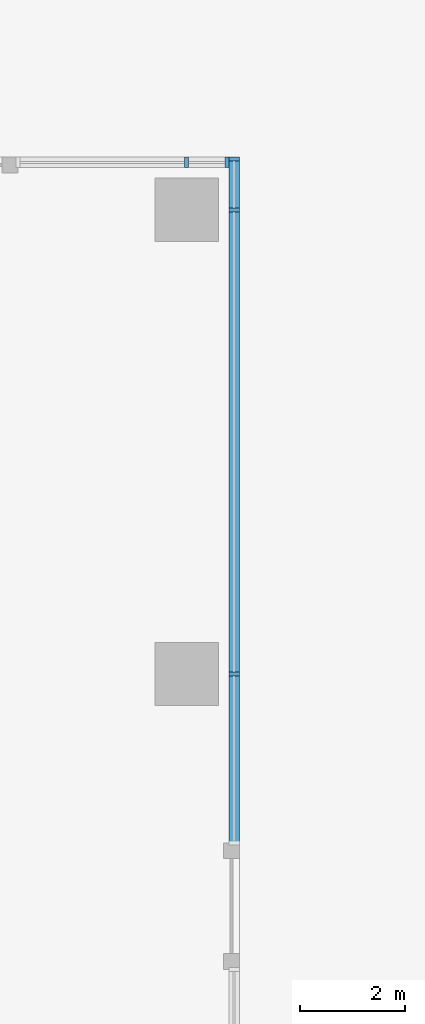
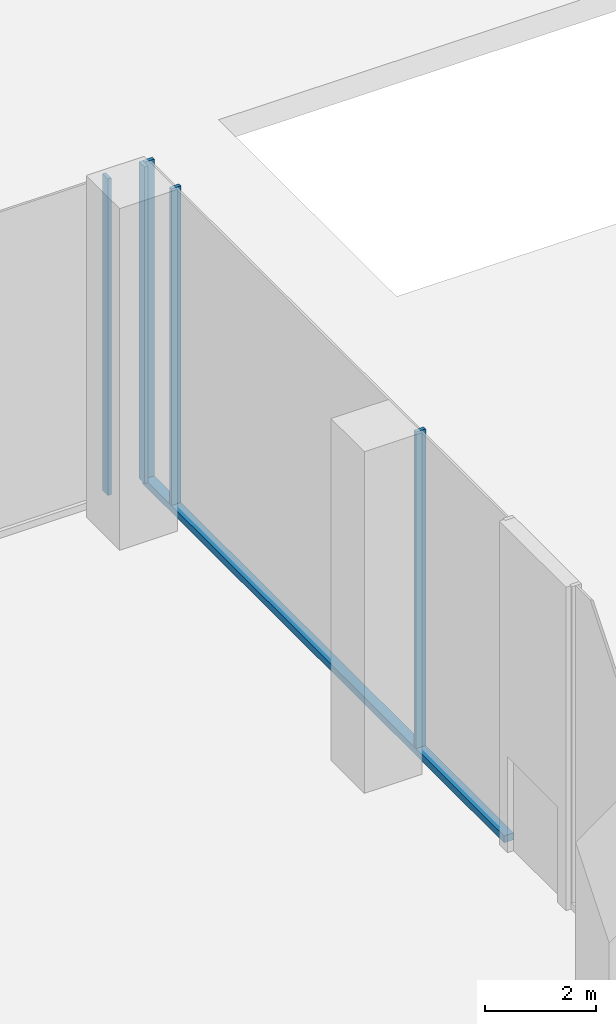
# One storey, part 14 of 41: 6 members, 2 elements without a shape of their own.
"""IFC4 building model written with IfcOpenShell, lengths in metres."""

import ifcopenshell
import ifcopenshell.guid

model = None  # the IFC model being written
_history = None  # IfcOwnerHistory: only IFC2X3 demands one
_inside = {}  # id of a spatial element -> (the spatial element, [elements in it])
_under = {}  # id of a project, library or spatial element -> (it, [spatial elements below it])
_declared = {}  # id of a project -> (the project, [libraries it declares])
_typed = {}  # id of a type object -> (the type object, [elements of that type])
_made_of = {}  # id of a material, layer set ... -> (it, [elements and type objects made of it])


def new_model(schema):
    """Start an empty IFC model of exactly this schema.

    Asked for "IFC4X3", IfcOpenShell would pick the latest addendum, in which some entities
    have other attributes; the version numbers below select the first issue.
    IFC2X3 requires an IfcOwnerHistory on every rooted entity: one is made here for all.
    """
    global model, _history
    if schema == "IFC4X3":
        model = ifcopenshell.file(schema_version=(4, 3, 0, 0))
    else:
        model = ifcopenshell.file(schema=schema)
    _inside.clear()
    _under.clear()
    _declared.clear()
    _typed.clear()
    _made_of.clear()
    _history = None
    if model.schema == "IFC2X3":
        org = make("IfcOrganization", Name="unknown")
        user = make(
            "IfcPersonAndOrganization",
            ThePerson=make("IfcPerson", FamilyName="unknown"),
            TheOrganization=org,
        )
        app = make(
            "IfcApplication",
            ApplicationDeveloper=org,
            Version="unknown",
            ApplicationFullName="unknown",
            ApplicationIdentifier="unknown",
        )
        _history = make(
            "IfcOwnerHistory",
            OwningUser=user,
            OwningApplication=app,
            ChangeAction="ADDED",
            CreationDate=0,
        )
    return model


def make(cls, **values):
    """One entity of the class cls with the attributes given. An attribute that is None is left unset."""
    return model.create_entity(
        cls, **{name: value for name, value in values.items() if value is not None}
    )


def rooted(cls, **values):
    """An entity with a GlobalId (a new one), such as an element, a storey or a relation."""
    return make(cls, GlobalId=ifcopenshell.guid.new(), OwnerHistory=_history, **values)


def si_unit(unit_type, name, prefix=None):
    """IfcSIUnit, for example si_unit("LENGTHUNIT", "METRE", prefix="MILLI")."""
    return make("IfcSIUnit", UnitType=unit_type, Prefix=prefix, Name=name)


def assignment(units):
    """IfcUnitAssignment: the units of a project."""
    return None if units is None else make("IfcUnitAssignment", Units=units)


def point(xyz):
    """IfcCartesianPoint."""
    return None if xyz is None else make("IfcCartesianPoint", Coordinates=xyz)


def direction(xyz):
    """IfcDirection."""
    return None if xyz is None else make("IfcDirection", DirectionRatios=xyz)


def frame(location, z_axis=None, x_axis=None):
    """IfcAxis2Placement3D, a coordinate frame: its origin and axes. An axis left out is left unset."""
    return make(
        "IfcAxis2Placement3D",
        Location=point(location),
        Axis=direction(z_axis),
        RefDirection=direction(x_axis),
    )


def frame_2d(location, x_axis=None):
    """IfcAxis2Placement2D, a coordinate frame in the plane: its origin and x axis."""
    return make(
        "IfcAxis2Placement2D", Location=point(location), RefDirection=direction(x_axis)
    )


def origin():
    """The frame at (0, 0, 0) with its axes left unset."""
    return frame((0.0, 0.0, 0.0))


def origin_2d():
    """The frame at (0, 0) in the plane with its x axis left unset."""
    return frame_2d((0.0, 0.0))


def place(relative_to, where):
    """IfcLocalPlacement: puts the frame where relative to a parent placement (None: the world)."""
    return make(
        "IfcLocalPlacement", PlacementRelTo=relative_to, RelativePlacement=where
    )


def context(
    kind, dimensions, precision=None, world=None, true_north=None, identifier=None
):
    """IfcGeometricRepresentationContext, for example the 3D "Model" context."""
    return make(
        "IfcGeometricRepresentationContext",
        ContextIdentifier=identifier,
        ContextType=kind,
        CoordinateSpaceDimension=dimensions,
        Precision=precision,
        WorldCoordinateSystem=world,
        TrueNorth=true_north,
    )


def subcontext(parent, identifier, kind, view, scale=None):
    """IfcGeometricRepresentationSubContext, for example "Body" below "Model"."""
    return make(
        "IfcGeometricRepresentationSubContext",
        ContextIdentifier=identifier,
        ContextType=kind,
        ParentContext=parent,
        TargetScale=scale,
        TargetView=view,
    )


def project(units=None, contexts=None):
    """IfcProject with its units and contexts."""
    return rooted(
        "IfcProject",
        Name="project",
        RepresentationContexts=contexts,
        UnitsInContext=assignment(units),
    )


def spatial(cls, under=None, at=None, **own):
    """A site, building, storey or space (cls), placed at a placement, below another one or the project."""
    s = rooted(cls, ObjectPlacement=at, **own)
    if under is not None:
        _under.setdefault(under.id(), (under, []))[1].append(s)
    return s


def profile(cls, at=None, kind="AREA", **sizes):
    """A parametric profile (cls). Its sizes go by their IFC names, for example OverallWidth=200.0."""
    return make(cls, ProfileType=kind, Position=at, **sizes)


def rectangle(**sizes):
    """IfcRectangleProfileDef."""
    return profile("IfcRectangleProfileDef", **sizes)


def extrude(swept, where, along, depth):
    """IfcExtrudedAreaSolid: the profile swept, set in the frame where, extruded along a direction by depth."""
    return make(
        "IfcExtrudedAreaSolid",
        SweptArea=swept,
        Position=where,
        ExtrudedDirection=direction(along),
        Depth=depth,
    )


def shape(context_of_items, identifier, shape_type, items):
    """IfcShapeRepresentation: the items that make up one representation, for example the "Body"."""
    return make(
        "IfcShapeRepresentation",
        ContextOfItems=context_of_items,
        RepresentationIdentifier=identifier,
        RepresentationType=shape_type,
        Items=items,
    )


def source(mapping_origin, context_of_items, identifier, shape_type, items):
    """IfcRepresentationMap: a shape defined once, which mapped items show again and again."""
    return make(
        "IfcRepresentationMap",
        MappingOrigin=mapping_origin,
        MappedRepresentation=shape(context_of_items, identifier, shape_type, items),
    )


def transform(
    local_origin,
    x_axis=None,
    y_axis=None,
    z_axis=None,
    scale=None,
    scale2=None,
    scale3=None,
    uniform=True,
):
    """IfcCartesianTransformationOperator3D, or its non-uniform kind. x_axis, y_axis, z_axis: its Axis1, 2, 3."""
    if uniform:
        return make(
            "IfcCartesianTransformationOperator3D",
            Axis1=direction(x_axis),
            Axis2=direction(y_axis),
            LocalOrigin=point(local_origin),
            Scale=scale,
            Axis3=direction(z_axis),
        )
    return make(
        "IfcCartesianTransformationOperator3DnonUniform",
        Axis1=direction(x_axis),
        Axis2=direction(y_axis),
        LocalOrigin=point(local_origin),
        Scale=scale,
        Axis3=direction(z_axis),
        Scale2=scale2,
        Scale3=scale3,
    )


def mapped(mapping_source, mapping_target):
    """IfcMappedItem: shows the shape of a source again, moved by a transform."""
    return make(
        "IfcMappedItem", MappingSource=mapping_source, MappingTarget=mapping_target
    )


def material(Name=None, Category=None):
    """IfcMaterial."""
    return make("IfcMaterial", Name=Name, Category=Category)


def material_profile(
    of_material, cross_section, Name=None, Category=None, Priority=None
):
    """IfcMaterialProfile: a cross section and its material."""
    return make(
        "IfcMaterialProfile",
        Name=Name,
        Material=of_material,
        Profile=cross_section,
        Priority=Priority,
        Category=Category,
    )


def profile_set(profiles, Name=None, composite=None):
    """IfcMaterialProfileSet."""
    return make(
        "IfcMaterialProfileSet",
        Name=Name,
        MaterialProfiles=profiles,
        CompositeProfile=composite,
    )


def made_of(thing, what):
    """Note that an element or type object is made of a material, layer set ...; save() writes the relation."""
    if what is not None:
        _made_of.setdefault(what.id(), (what, []))[1].append(thing)
    return thing


def type_object(cls, material=None, **own):
    """A type object (cls), such as IfcWallType, which elements share."""
    return made_of(rooted(cls, **own), material)


def element(
    cls,
    number,
    at=None,
    inside=None,
    cuts=None,
    type_object=None,
    material=None,
    context=None,
    identifier="Body",
    shape_type=None,
    held_by="IfcProductDefinitionShape",
    body=None,
    shapes=None,
    **own,
):
    """One element of the class cls, such as IfcWall. Its Tag is "e" and its number.

    at: its placement. inside: the storey or other place that contains it. cuts: it is an
    opening in that element (IfcRelVoidsElement). A single representation is given by context,
    identifier, shape_type and body (its items); several are given by shapes. held_by: the class
    of the entity that holds the representations. save() writes the other relations.
    """
    e = rooted(cls, Tag="e%d" % number, ObjectPlacement=at, **own)
    if body is not None:
        shapes = [shape(context, identifier, shape_type, body)]
    if shapes is not None:
        e.Representation = make(held_by, Representations=shapes)
    if inside is not None:
        _inside.setdefault(inside.id(), (inside, []))[1].append(e)
    if cuts is not None:
        rooted(
            "IfcRelVoidsElement", RelatingBuildingElement=cuts, RelatedOpeningElement=e
        )
    if type_object is not None:
        _typed.setdefault(type_object.id(), (type_object, []))[1].append(e)
    return made_of(e, material)


def aggregate(whole, parts):
    """IfcRelAggregates: a whole, such as a stair, and the parts it consists of."""
    return rooted("IfcRelAggregates", RelatingObject=whole, RelatedObjects=parts)


def save(model, path):
    """Write the relations noted so far, then the file.

    IfcRelAggregates (storeys below a building ...), IfcRelContainedInSpatialStructure (elements
    in a storey), IfcRelDefinesByType, IfcRelAssociatesMaterial and IfcRelDeclares: one each for
    every whole, place, type object, material and project.
    """
    for whole, parts in _under.values():
        aggregate(whole, parts)
    for where, things in _inside.values():
        rooted(
            "IfcRelContainedInSpatialStructure",
            RelatedElements=things,
            RelatingStructure=where,
        )
    for kind, things in _typed.values():
        rooted("IfcRelDefinesByType", RelatedObjects=things, RelatingType=kind)
    for what, things in _made_of.values():
        rooted("IfcRelAssociatesMaterial", RelatedObjects=things, RelatingMaterial=what)
    for by, libraries in _declared.values():
        rooted("IfcRelDeclares", RelatingContext=by, RelatedDefinitions=libraries)
    model.write(path)


model = new_model("IFC4")

# Units and contexts
model_context = context("Model", 3, precision=1e-05, world=origin(), true_north=direction((0.0, 1.0)))
body_context = subcontext(model_context, "Body", "Model", "MODEL_VIEW")
ifc_project = project(units=[si_unit("LENGTHUNIT", "METRE"), si_unit("AREAUNIT", "SQUARE_METRE"), si_unit("VOLUMEUNIT", "CUBIC_METRE"), si_unit("PLANEANGLEUNIT", "RADIAN"), si_unit("MASSUNIT", "GRAM", prefix="KILO")], contexts=[model_context])

# Site, building, storey
site_placement = place(None, origin())
site = spatial("IfcSite", under=ifc_project, at=site_placement, CompositionType="ELEMENT")
building_placement = place(site_placement, origin())
building = spatial("IfcBuilding", under=site, at=building_placement, Name="Kemantara Hotel Tower", CompositionType="ELEMENT")
storey_placement = place(building_placement, origin())
storey = spatial("IfcBuildingStorey", under=building, at=storey_placement, Name="L00", CompositionType="ELEMENT", Elevation=0.0)

# Curtain wall, members
ifc_material_1 = material(Name="Laminated tinted insulated glass 44 mm", Category="glass")
curtain_wall_type = type_object("IfcCurtainWallType", Name="PODIUM GLASS CURTAIN WALL", PredefinedType="USERDEFINED", material=ifc_material_1)
curtain_wall_1_placement = place(storey_placement, origin())
curtain_wall_1 = element("IfcCurtainWall", 1, at=curtain_wall_1_placement, inside=storey, type_object=curtain_wall_type, Name="CW1 L00 POD-R08-2", ObjectType="PODIUM GLASS CURTAIN WALL", PredefinedType="USERDEFINED")
ifc_material_2 = material(Name="Aluminium 6063-T6 bronze anodised", Category="aluminium")
ifc_material_profile_1 = material_profile(ifc_material_2, rectangle(XDim=0.199951171875, YDim=0.14990234375, at=origin_2d()), Name="PODIUM GLASS CURTAIN WALL TRANSOM")
ifc_profile_set_1 = profile_set([ifc_material_profile_1], Name="Aluminium 6063-T6 bronze anodised")
member_type_1 = type_object("IfcMemberType", Name="PODIUM GLASS CURTAIN WALL TRANSOM", PredefinedType="USERDEFINED", material=ifc_profile_set_1)
member_1_placement = place(storey_placement, frame((63.5, 41.800048828125, 0.074951171875), z_axis=(0.0, 1.0, 0.0), x_axis=(-1.0, 0.0, 0.0)))
member_1 = element("IfcMember", 2, at=member_1_placement, type_object=member_type_1, Name="CW1 sill transom POD-R08-2", ObjectType="TRANSOM", PredefinedType="USERDEFINED", context=body_context, shape_type="SweptSolid", body=[
    extrude(rectangle(XDim=0.199951171875, YDim=0.14990234375, at=origin_2d()), origin(), (0.0, 0.0, 1.0), 13.0),
])
ifc_material_profile_2 = material_profile(ifc_material_2, rectangle(XDim=0.199951171875, YDim=0.074951171875, at=origin_2d()), Name="PODIUM GLASS CURTAIN WALL MULLION")
ifc_profile_set_2 = profile_set([ifc_material_profile_2], Name="Aluminium 6063-T6 bronze anodised")
member_type_2 = type_object("IfcMemberType", Name="PODIUM GLASS CURTAIN WALL MULLION", PredefinedType="MULLION", material=ifc_profile_set_2)
shared_shape = source(origin(), body_context, "Body", "SweptSolid", [
    extrude(rectangle(XDim=0.199951171875, YDim=0.074951171875, at=origin_2d()), origin(), (0.0, 0.0, 1.0), 6.9501953125),
])
member_2_placement = place(storey_placement, frame((63.5, 45.0, 0.14990234375), z_axis=(0.0, 0.0, 1.0), x_axis=(-1.0, 0.0, 0.0)))
member_2 = element("IfcMember", 3, at=member_2_placement, type_object=member_type_2, Name="CW1 mullion POD-R08-2.2", PredefinedType="MULLION", context=body_context, shape_type="MappedRepresentation", body=[
    mapped(shared_shape, transform((0.0, 0.0, 0.0))),
])
member_3_placement = place(storey_placement, frame((63.5, 53.800048828125, 0.14990234375), z_axis=(0.0, 0.0, 1.0), x_axis=(-1.0, 0.0, 0.0)))
member_3 = element("IfcMember", 4, at=member_3_placement, type_object=member_type_2, Name="CW1 mullion POD-R08-2.3", PredefinedType="MULLION", context=body_context, shape_type="MappedRepresentation", body=[
    mapped(shared_shape, transform((0.0, 0.0, 0.0))),
])
member_4_placement = place(storey_placement, frame((63.5, 54.762451171875, 0.14990234375), z_axis=(0.0, 0.0, 1.0), x_axis=(-1.0, 0.0, 0.0)))
member_4 = element("IfcMember", 5, at=member_4_placement, type_object=member_type_2, Name="CW1 mullion POD-R08-2.4", PredefinedType="MULLION", context=body_context, shape_type="MappedRepresentation", body=[
    mapped(shared_shape, transform((0.0, 0.0, 0.0))),
])
aggregate(curtain_wall_1, [member_1, member_2, member_3, member_4])

curtain_wall_2_placement = place(storey_placement, origin())
curtain_wall_2 = element("IfcCurtainWall", 6, at=curtain_wall_2_placement, inside=storey, type_object=curtain_wall_type, Name="CW1 L00 POD-R09-1", ObjectType="PODIUM GLASS CURTAIN WALL", PredefinedType="USERDEFINED")
member_5_placement = place(storey_placement, frame((63.362548828125, 54.699951171875, 0.14990234375), z_axis=(0.0, 0.0, 1.0), x_axis=(0.0, -1.0, 0.0)))
member_5 = element("IfcMember", 7, at=member_5_placement, type_object=member_type_2, Name="CW1 mullion POD-R09-1.1", PredefinedType="MULLION", context=body_context, shape_type="MappedRepresentation", body=[
    mapped(shared_shape, transform((0.0, 0.0, 0.0))),
])
member_6_placement = place(storey_placement, frame((62.60009765625, 54.699951171875, 0.14990234375), z_axis=(0.0, 0.0, 1.0), x_axis=(0.0, -1.0, 0.0)))
member_6 = element("IfcMember", 8, at=member_6_placement, type_object=member_type_2, Name="CW1 mullion POD-R09-1.2", PredefinedType="MULLION", context=body_context, shape_type="MappedRepresentation", body=[
    mapped(shared_shape, transform((0.0, 0.0, 0.0))),
])
aggregate(curtain_wall_2, [member_5, member_6])

save(model, "model.ifc")
